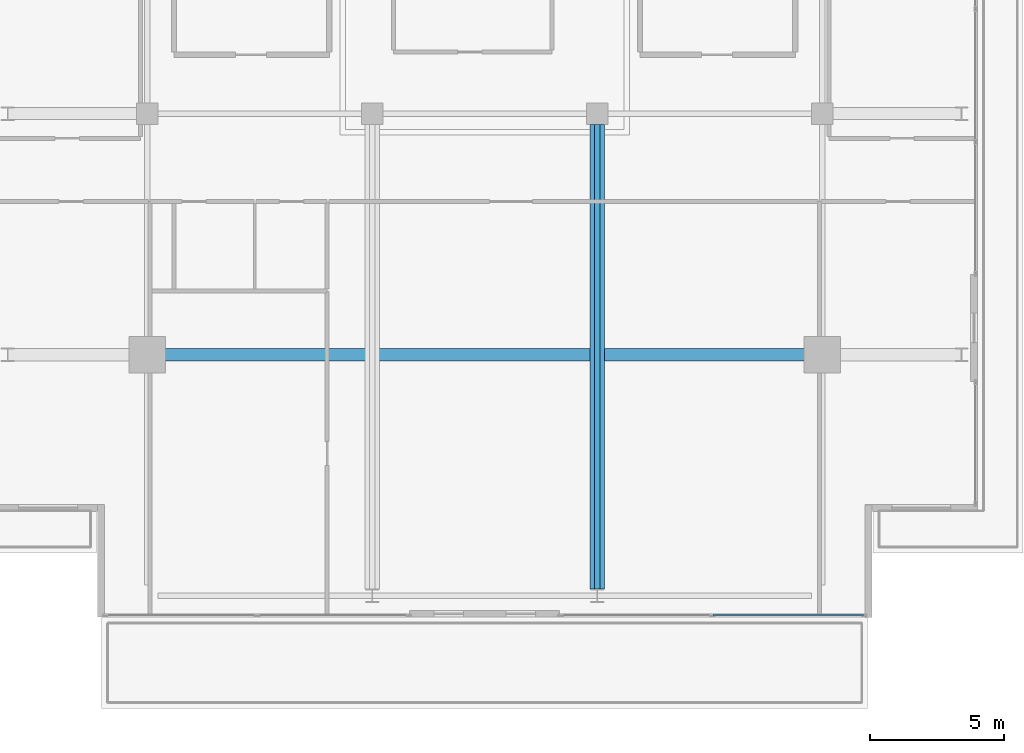
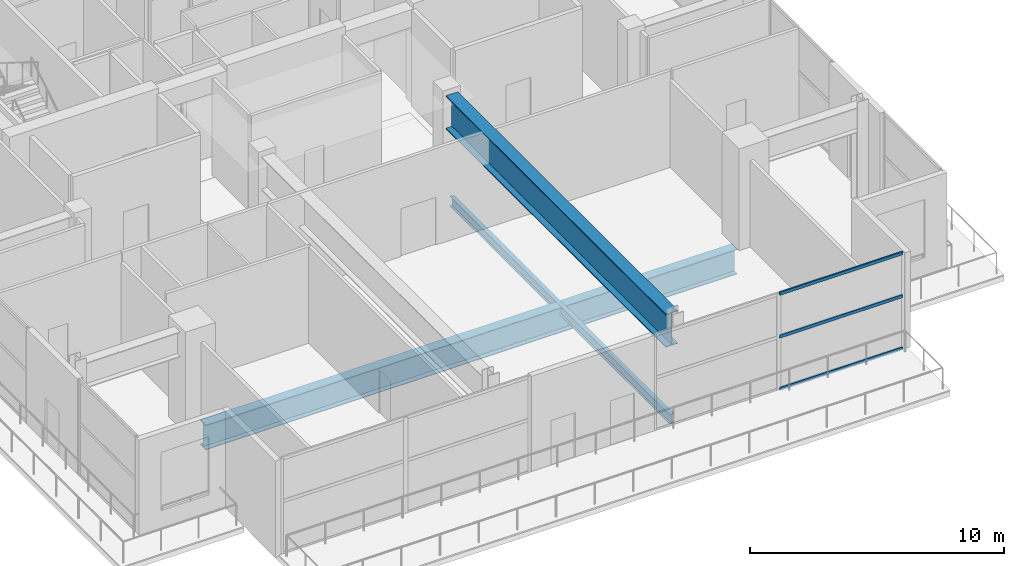
# One storey, part 6 of 22: 3 beams, 3 members, 1 element without a shape of its own.
"""IFC4 building model written with IfcOpenShell, lengths in metres."""

from ifc_helpers import new_model, si_unit, direction, frame, origin, origin_2d, place, context, subcontext, project, spatial, hollow_rectangle, i_section, extrude, material, layer, layer_set, material_profile, profile_set, type_object, element, aggregate, save


model = new_model("IFC4")

# Units and contexts
model_context = context("Model", 3, precision=1e-05, world=origin(), true_north=direction((0.0, 1.0)))
body_context = subcontext(model_context, "Body", "Model", "MODEL_VIEW")
ifc_project = project(units=[si_unit("LENGTHUNIT", "METRE"), si_unit("AREAUNIT", "SQUARE_METRE"), si_unit("VOLUMEUNIT", "CUBIC_METRE"), si_unit("PLANEANGLEUNIT", "RADIAN"), si_unit("MASSUNIT", "GRAM", prefix="KILO")], contexts=[model_context])

# Site, building, storey
site_placement = place(None, origin())
site = spatial("IfcSite", under=ifc_project, at=site_placement, CompositionType="ELEMENT")
building_placement = place(site_placement, origin())
building = spatial("IfcBuilding", under=site, at=building_placement, Name="Maruvema Waterfront Hotel and Observation Tower", CompositionType="ELEMENT")
storey_placement = place(building_placement, frame((0.0, 0.0, 354.199951171875)))
storey = spatial("IfcBuildingStorey", under=building, at=storey_placement, Name="L87", CompositionType="ELEMENT", Elevation=354.199951171875)

# Curtain wall, members
ifc_material_1 = material(Name="Anodised bronze aluminium and solar-control low-E IGU", Category="aluminium")
ifc_layer = layer(ifc_material_1, 0.159912109375, Name="Observation Crown Structural Glazed Curtain Wall System CW-06")
ifc_layer_set = layer_set([ifc_layer], Name="Anodised bronze aluminium and solar-control low-E IGU")
curtain_wall_type = type_object("IfcCurtainWallType", Name="Observation Crown Structural Glazed Curtain Wall System CW-06", PredefinedType="USERDEFINED", material=ifc_layer_set)
curtain_wall_placement = place(storey_placement, origin())
curtain_wall = element("IfcCurtainWall", 1, at=curtain_wall_placement, inside=storey, type_object=curtain_wall_type, Name="L87 Curtain Wall CW-L87-SE", ObjectType="UNITISED CURTAIN WALL", PredefinedType="USERDEFINED")
ifc_material_2 = material(Name="Anodised architectural bronze aluminium", Category="aluminium")
ifc_material_profile_1 = material_profile(ifc_material_2, hollow_rectangle(XDim=0.070068359375, YDim=0.14990234375, WallThickness=0.00390625, at=origin_2d()), Name="ALU-T70x150")
ifc_profile_set_1 = profile_set([ifc_material_profile_1], Name="Anodised architectural bronze aluminium")
member_type = type_object("IfcMemberType", Name="Curtain Wall Horizontal Transom ALU-T70x150", PredefinedType="USERDEFINED", material=ifc_profile_set_1)
member_1_placement = place(storey_placement, frame((46.330078125, 17.280029296875, 0.030029296875), z_axis=(1.0, 0.0, 0.0), x_axis=(0.0, 1.0, 0.0)))
member_1 = element("IfcMember", 2, at=member_1_placement, type_object=member_type, Name="CW-06 transom 2.1", ObjectType="TRANSOM", PredefinedType="USERDEFINED", context=body_context, shape_type="SweptSolid", body=[
    extrude(hollow_rectangle(XDim=0.070068359375, YDim=0.14990234375, WallThickness=0.00390625, at=origin_2d()), origin(), (0.0, 0.0, 1.0), 5.60986328125),
])
member_2_placement = place(storey_placement, frame((46.330078125, 17.280029296875, 2.550048828125), z_axis=(1.0, 0.0, 0.0), x_axis=(0.0, 1.0, 0.0)))
member_2 = element("IfcMember", 3, at=member_2_placement, type_object=member_type, Name="CW-06 transom 2.2", ObjectType="TRANSOM", PredefinedType="USERDEFINED", context=body_context, shape_type="SweptSolid", body=[
    extrude(hollow_rectangle(XDim=0.070068359375, YDim=0.14990234375, WallThickness=0.00390625, at=origin_2d()), origin(), (0.0, 0.0, 1.0), 5.60986328125),
])
member_3_placement = place(storey_placement, frame((46.330078125, 17.280029296875, 4.610107421875), z_axis=(1.0, 0.0, 0.0), x_axis=(0.0, 1.0, 0.0)))
member_3 = element("IfcMember", 4, at=member_3_placement, type_object=member_type, Name="CW-06 transom 2.3", ObjectType="TRANSOM", PredefinedType="USERDEFINED", context=body_context, shape_type="SweptSolid", body=[
    extrude(hollow_rectangle(XDim=0.070068359375, YDim=0.14990234375, WallThickness=0.00390625, at=origin_2d()), origin(), (0.0, 0.0, 1.0), 5.60986328125),
])
aggregate(curtain_wall, [member_1, member_2, member_3])

# Beams
ifc_material_3 = material(Name="Steel ASTM A572 Grade 50", Category="steel")
ifc_material_profile_2 = material_profile(ifc_material_3, i_section(OverallWidth=0.194091796875, OverallDepth=0.468994140625, WebThickness=0.0126953125, FlangeThickness=0.0205078125, FilletRadius=0.014892578125, at=origin_2d()), Name="W460x106.0")
ifc_profile_set_2 = profile_set([ifc_material_profile_2], Name="Steel ASTM A572 Grade 50")
beam_type_1 = type_object("IfcBeamType", Name="Primary Floor Girder W460x106.0", PredefinedType="BEAM", material=ifc_profile_set_2)
beam_1_placement = place(storey_placement, frame((42.0, 18.25, -0.494384765625), z_axis=(0.0, 1.0, 0.0), x_axis=(-1.0, 0.0, 0.0)))
element("IfcBeam", 5, at=beam_1_placement, inside=storey, type_object=beam_type_1, Name="L87 Floor Girder NS-05", PredefinedType="BEAM", context=body_context, shape_type="SweptSolid", body=[
    extrude(i_section(OverallWidth=0.194091796875, OverallDepth=0.468994140625, WebThickness=0.0126953125, FlangeThickness=0.0205078125, FilletRadius=0.014892578125, at=origin_2d()), origin(), (0.0, 0.0, 1.0), 17.35009765625),
])
ifc_material_4 = material(Name="Steel ABNT NBR 7007 AR 415 (ASTM A572 Grade 50)", Category="steel")
ifc_material_profile_3 = material_profile(ifc_material_4, i_section(OverallWidth=0.550048828125, OverallDepth=1.60009765625, WebThickness=0.02197265625, FlangeThickness=0.0400390625, at=origin_2d()), Name="VS1600x548")
ifc_profile_set_3 = profile_set([ifc_material_profile_3], Name="Steel ABNT NBR 7007 AR 415 (ASTM A572 Grade 50)")
beam_type_2 = type_object("IfcBeamType", Name="Setback Transfer Girder VS1600x548", PredefinedType="USERDEFINED", material=ifc_profile_set_3)
beam_2_placement = place(storey_placement, frame((42.0, 18.25, 3.840087890625), z_axis=(0.0, 1.0, 0.0), x_axis=(-1.0, 0.0, 0.0)))
element("IfcBeam", 6, at=beam_2_placement, inside=storey, type_object=beam_type_2, Name="L87 South Crown Setback Transfer Girder X=42.0m", ObjectType="TRANSFER GIRDER", PredefinedType="USERDEFINED", context=body_context, shape_type="SweptSolid", body=[
    extrude(i_section(OverallWidth=0.550048828125, OverallDepth=1.60009765625, WebThickness=0.02197265625, FlangeThickness=0.0400390625, at=origin_2d()), origin(), (0.0, 0.0, 1.0), 17.35009765625),
])
ifc_material_5 = material(Name="Steel ABNT NBR 7007 AR 415 (ASTM A572 Grade 50)", Category="steel")
ifc_material_profile_4 = material_profile(ifc_material_5, i_section(OverallWidth=0.449951171875, OverallDepth=1.199951171875, WebThickness=0.01904296875, FlangeThickness=0.031982421875, at=origin_2d()), Name="VS1200x366")
ifc_profile_set_4 = profile_set([ifc_material_profile_4], Name="Steel ABNT NBR 7007 AR 415 (ASTM A572 Grade 50)")
beam_type_3 = type_object("IfcBeamType", Name="Upper Setback Transfer Girder VS1200x366", PredefinedType="USERDEFINED", material=ifc_profile_set_4)
beam_3_placement = place(storey_placement, frame((25.699951171875, 27.0, -0.85986328125), z_axis=(1.0, 0.0, 0.0), x_axis=(0.0, 1.0, 0.0)))
element("IfcBeam", 7, at=beam_3_placement, inside=storey, type_object=beam_type_3, Name="L87 Floor Girder EW-04", ObjectType="TRANSFER GIRDER", PredefinedType="USERDEFINED", context=body_context, shape_type="SweptSolid", body=[
    extrude(i_section(OverallWidth=0.449951171875, OverallDepth=1.199951171875, WebThickness=0.01904296875, FlangeThickness=0.031982421875, at=origin_2d()), origin(), (0.0, 0.0, 1.0), 24.199951171875),
])

save(model, "model.ifc")
